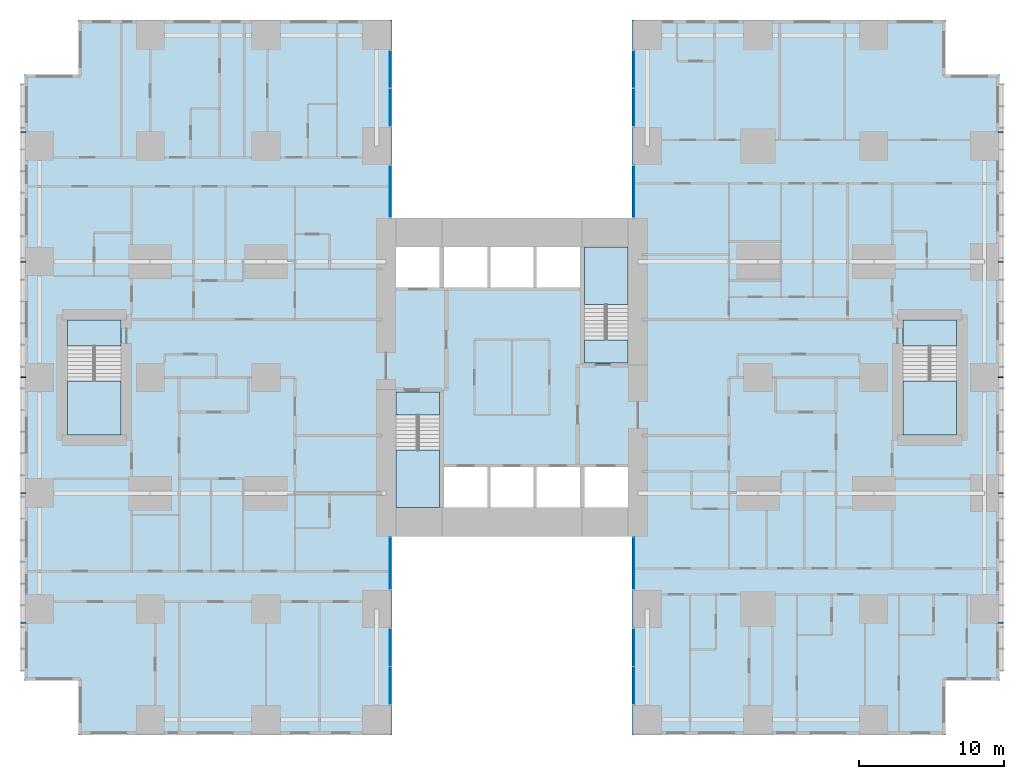
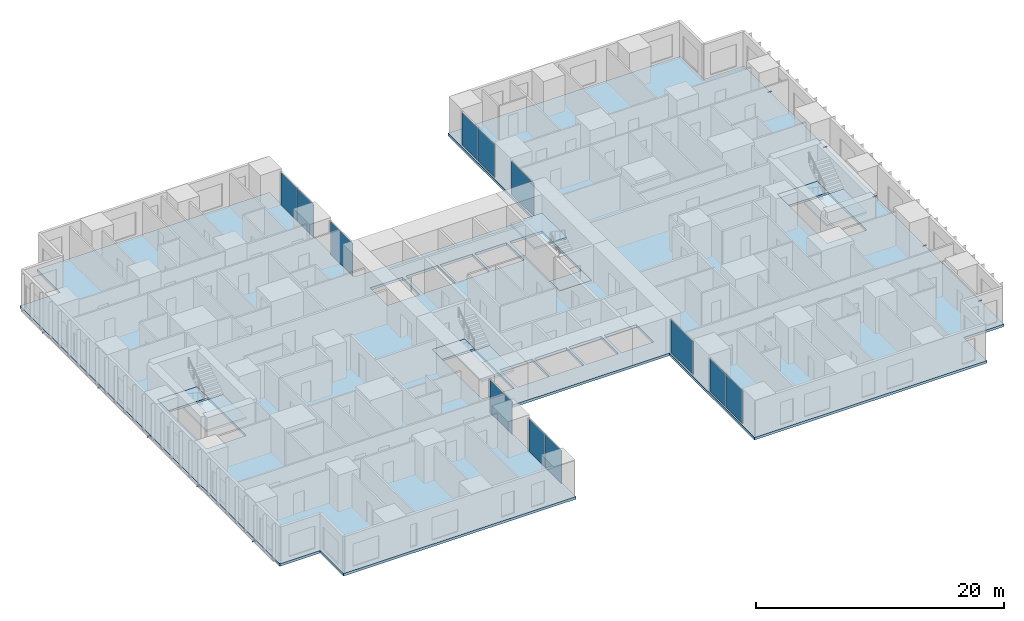
# One storey, part 7 of 21: 12 plates, 10 members, 9 slabs, 12 elements without a shape of their own.
"""IFC4 building model written with IfcOpenShell, lengths in metres."""

from ifc_helpers import new_model, si_unit, direction, frame, origin, origin_2d, place, context, subcontext, project, spatial, polyline, rectangle, hollow_rectangle, outline, extrude, material, layer, layer_set, material_profile, profile_set, type_object, element, aggregate, save


model = new_model("IFC4")

# Units and contexts
model_context = context("Model", 3, precision=1e-05, world=origin(), true_north=direction((0.0, 1.0)))
body_context = subcontext(model_context, "Body", "Model", "MODEL_VIEW")
ifc_project = project(units=[si_unit("LENGTHUNIT", "METRE"), si_unit("AREAUNIT", "SQUARE_METRE"), si_unit("VOLUMEUNIT", "CUBIC_METRE"), si_unit("PLANEANGLEUNIT", "RADIAN"), si_unit("MASSUNIT", "GRAM", prefix="KILO")], contexts=[model_context])

# Site, building, storey
site_placement = place(None, origin())
site = spatial("IfcSite", under=ifc_project, at=site_placement, CompositionType="ELEMENT")
building_placement = place(site_placement, origin())
building = spatial("IfcBuilding", under=site, at=building_placement, Name="Cleftline Residences", CompositionType="ELEMENT")
storey_placement = place(building_placement, frame((0.0, 0.0, 125.0)))
storey = spatial("IfcBuildingStorey", under=building, at=storey_placement, Name="L32", CompositionType="ELEMENT", Elevation=125.0)

# Members
ifc_material_1 = material(Name="Steel S355, hot-dip galvanised", Category="steel")
ifc_material_profile = material_profile(ifc_material_1, hollow_rectangle(XDim=0.10009765625, YDim=0.10009765625, WallThickness=0.008056640625, InnerFilletRadius=0.008056640625, OuterFilletRadius=0.011962890625, at=origin_2d()))
ifc_profile_set = profile_set([ifc_material_profile], Name="Steel S355, hot-dip galvanised")
member_type = type_object("IfcMemberType", Name="BAGUETTE BRACKET SHS 100X100X8", PredefinedType="USERDEFINED", material=ifc_profile_set)
for number, where, z_axis, x_axis, name in (
    (1, (66.60009765625, 7.050048828125, -0.14990234375), (1.0, 0.0, 0.0), (0.0, 1.0, 0.0), "Baguette bracket"),
    (2, (66.60009765625, 16.0, -0.14990234375), (1.0, 0.0, 0.0), (0.0, 1.0, 0.0), "Baguette bracket"),
    (3, (66.60009765625, 24.0, -0.14990234375), (1.0, 0.0, 0.0), (0.0, 1.0, 0.0), "Baguette bracket"),
    (4, (66.60009765625, 32.0, -0.14990234375), (1.0, 0.0, 0.0), (0.0, 1.0, 0.0), "Baguette bracket"),
    (5, (66.60009765625, 40.949951171875, -0.14990234375), (1.0, 0.0, 0.0), (0.0, 1.0, 0.0), "Baguette bracket"),
    (6, (-0.60009765625, 40.949951171875, -0.14990234375), (-1.0, 0.0, 0.0), (0.0, -1.0, 0.0), "Baguette bracket"),
    (7, (-0.60009765625, 32.0, -0.14990234375), (-1.0, 0.0, 0.0), (0.0, -1.0, 0.0), "Baguette bracket"),
    (8, (-0.60009765625, 24.0, -0.14990234375), (-1.0, 0.0, 0.0), (0.0, -1.0, 0.0), "Baguette bracket"),
    (9, (-0.60009765625, 16.0, -0.14990234375), (-1.0, 0.0, 0.0), (0.0, -1.0, 0.0), "Baguette bracket"),
    (10, (-0.60009765625, 7.050048828125, -0.14990234375), (-1.0, 0.0, 0.0), (0.0, -1.0, 0.0), "Baguette bracket"),
):
    element("IfcMember", number, at=place(storey_placement, frame(where, z_axis=z_axis, x_axis=x_axis)), inside=storey, type_object=member_type, Name=name, ObjectType="BAGUETTE BRACKET", PredefinedType="USERDEFINED", context=body_context, shape_type="SweptSolid", body=[
        extrude(hollow_rectangle(XDim=0.10009765625, YDim=0.10009765625, WallThickness=0.008056640625, InnerFilletRadius=0.008056640625, OuterFilletRadius=0.011962890625, at=origin_2d()), origin(), (0.0, 0.0, 1.0), 0.349853515625),
    ])

# Curtain wall, plates
ifc_material_2 = material(Name="Aluminium framed curtain wall", Category="aluminium")
ifc_layer_1 = layer(ifc_material_2, 0.199951171875)
ifc_layer_set_1 = layer_set([ifc_layer_1], Name="CW1 CLEFT GLAZING")
curtain_wall_type = type_object("IfcCurtainWallType", Name="CW1 CLEFT GLAZING", PredefinedType="NOTDEFINED", material=ifc_layer_set_1)
curtain_wall_1_placement = place(storey_placement, origin())
curtain_wall_1 = element("IfcCurtainWall", 11, at=curtain_wall_1_placement, inside=storey, type_object=curtain_wall_type, Name="Curtain wall CW1", PredefinedType="NOTDEFINED")
ifc_material_3 = material(Name="Laminated clear glass", Category="glass")
ifc_layer_2 = layer(ifc_material_3, 0.028076171875)
ifc_layer_set_2 = layer_set([ifc_layer_2], Name="CW1 GLASS PANEL")
plate_type = type_object("IfcPlateType", Name="CW1 GLASS PANEL", PredefinedType="CURTAIN_PANEL", material=ifc_layer_set_2)
plate_1_placement = place(storey_placement, frame((24.574951171875, 2.702392578125, 0.06005859375), z_axis=(0.0, 0.0, 1.0), x_axis=(0.0, 1.0, 0.0)))
plate_1 = element("IfcPlate", 12, at=plate_1_placement, type_object=plate_type, Name="CW1 panel 1.1", PredefinedType="CURTAIN_PANEL", context=body_context, shape_type="SweptSolid", body=[
    extrude(rectangle(XDim=2.5849609375, YDim=0.028076171875, at=origin_2d()), origin(), (0.0, 0.0, 1.0), 3.22998046875),
])
plate_2_placement = place(storey_placement, frame((24.574951171875, 5.347412109375, 0.06005859375), z_axis=(0.0, 0.0, 1.0), x_axis=(0.0, 1.0, 0.0)))
plate_2 = element("IfcPlate", 13, at=plate_2_placement, type_object=plate_type, Name="CW1 panel 2.1", PredefinedType="CURTAIN_PANEL", context=body_context, shape_type="SweptSolid", body=[
    extrude(rectangle(XDim=2.5849609375, YDim=0.028076171875, at=origin_2d()), origin(), (0.0, 0.0, 1.0), 3.22998046875),
])
aggregate(curtain_wall_1, [plate_1, plate_2])

# Curtain wall, plate
curtain_wall_2_placement = place(storey_placement, origin())
curtain_wall_2 = element("IfcCurtainWall", 14, at=curtain_wall_2_placement, inside=storey, type_object=curtain_wall_type, Name="Curtain wall CW1", PredefinedType="NOTDEFINED")
plate_3_placement = place(storey_placement, frame((24.574951171875, 11.14990234375, 0.06005859375), z_axis=(0.0, 0.0, 1.0), x_axis=(0.0, 1.0, 0.0)))
plate_3 = element("IfcPlate", 15, at=plate_3_placement, type_object=plate_type, Name="CW1 panel 1.1", PredefinedType="CURTAIN_PANEL", context=body_context, shape_type="SweptSolid", body=[
    extrude(rectangle(XDim=3.580078125, YDim=0.028076171875, at=origin_2d()), origin(), (0.0, 0.0, 1.0), 3.22998046875),
])
aggregate(curtain_wall_2, [plate_3])

curtain_wall_3_placement = place(storey_placement, origin())
curtain_wall_3 = element("IfcCurtainWall", 16, at=curtain_wall_3_placement, inside=storey, type_object=curtain_wall_type, Name="Curtain wall CW1", PredefinedType="NOTDEFINED")
plate_4_placement = place(storey_placement, frame((41.425048828125, 11.14990234375, 0.06005859375), z_axis=(0.0, 0.0, 1.0), x_axis=(0.0, -1.0, 0.0)))
plate_4 = element("IfcPlate", 17, at=plate_4_placement, type_object=plate_type, Name="CW1 panel 1.1", PredefinedType="CURTAIN_PANEL", context=body_context, shape_type="SweptSolid", body=[
    extrude(rectangle(XDim=3.580078125, YDim=0.028076171875, at=origin_2d()), origin(), (0.0, 0.0, 1.0), 3.22998046875),
])
aggregate(curtain_wall_3, [plate_4])

# Curtain wall, plates
curtain_wall_4_placement = place(storey_placement, origin())
curtain_wall_4 = element("IfcCurtainWall", 18, at=curtain_wall_4_placement, inside=storey, type_object=curtain_wall_type, Name="Curtain wall CW1", PredefinedType="NOTDEFINED")
plate_5_placement = place(storey_placement, frame((41.425048828125, 5.347412109375, 0.06005859375), z_axis=(0.0, 0.0, 1.0), x_axis=(0.0, -1.0, 0.0)))
plate_5 = element("IfcPlate", 19, at=plate_5_placement, type_object=plate_type, Name="CW1 panel 1.1", PredefinedType="CURTAIN_PANEL", context=body_context, shape_type="SweptSolid", body=[
    extrude(rectangle(XDim=2.5849609375, YDim=0.028076171875, at=origin_2d()), origin(), (0.0, 0.0, 1.0), 3.22998046875),
])
plate_6_placement = place(storey_placement, frame((41.425048828125, 2.702392578125, 0.06005859375), z_axis=(0.0, 0.0, 1.0), x_axis=(0.0, -1.0, 0.0)))
plate_6 = element("IfcPlate", 20, at=plate_6_placement, type_object=plate_type, Name="CW1 panel 2.1", PredefinedType="CURTAIN_PANEL", context=body_context, shape_type="SweptSolid", body=[
    extrude(rectangle(XDim=2.5849609375, YDim=0.028076171875, at=origin_2d()), origin(), (0.0, 0.0, 1.0), 3.22998046875),
])
aggregate(curtain_wall_4, [plate_5, plate_6])

curtain_wall_5_placement = place(storey_placement, origin())
curtain_wall_5 = element("IfcCurtainWall", 21, at=curtain_wall_5_placement, inside=storey, type_object=curtain_wall_type, Name="Curtain wall CW1", PredefinedType="NOTDEFINED")
plate_7_placement = place(storey_placement, frame((41.425048828125, 45.297607421875, 0.06005859375), z_axis=(0.0, 0.0, 1.0), x_axis=(0.0, -1.0, 0.0)))
plate_7 = element("IfcPlate", 22, at=plate_7_placement, type_object=plate_type, Name="CW1 panel 1.1", PredefinedType="CURTAIN_PANEL", context=body_context, shape_type="SweptSolid", body=[
    extrude(rectangle(XDim=2.5849609375, YDim=0.028076171875, at=origin_2d()), origin(), (0.0, 0.0, 1.0), 3.22998046875),
])
plate_8_placement = place(storey_placement, frame((41.425048828125, 42.652587890625, 0.06005859375), z_axis=(0.0, 0.0, 1.0), x_axis=(0.0, -1.0, 0.0)))
plate_8 = element("IfcPlate", 23, at=plate_8_placement, type_object=plate_type, Name="CW1 panel 2.1", PredefinedType="CURTAIN_PANEL", context=body_context, shape_type="SweptSolid", body=[
    extrude(rectangle(XDim=2.5849609375, YDim=0.028076171875, at=origin_2d()), origin(), (0.0, 0.0, 1.0), 3.22998046875),
])
aggregate(curtain_wall_5, [plate_7, plate_8])

# Curtain wall, plate
curtain_wall_6_placement = place(storey_placement, origin())
curtain_wall_6 = element("IfcCurtainWall", 24, at=curtain_wall_6_placement, inside=storey, type_object=curtain_wall_type, Name="Curtain wall CW1", PredefinedType="NOTDEFINED")
plate_9_placement = place(storey_placement, frame((41.425048828125, 36.85009765625, 0.06005859375), z_axis=(0.0, 0.0, 1.0), x_axis=(0.0, -1.0, 0.0)))
plate_9 = element("IfcPlate", 25, at=plate_9_placement, type_object=plate_type, Name="CW1 panel 1.1", PredefinedType="CURTAIN_PANEL", context=body_context, shape_type="SweptSolid", body=[
    extrude(rectangle(XDim=3.580078125, YDim=0.028076171875, at=origin_2d()), origin(), (0.0, 0.0, 1.0), 3.22998046875),
])
aggregate(curtain_wall_6, [plate_9])

curtain_wall_7_placement = place(storey_placement, origin())
curtain_wall_7 = element("IfcCurtainWall", 26, at=curtain_wall_7_placement, inside=storey, type_object=curtain_wall_type, Name="Curtain wall CW1", PredefinedType="NOTDEFINED")
plate_10_placement = place(storey_placement, frame((24.574951171875, 36.85009765625, 0.06005859375), z_axis=(0.0, 0.0, 1.0), x_axis=(0.0, 1.0, 0.0)))
plate_10 = element("IfcPlate", 27, at=plate_10_placement, type_object=plate_type, Name="CW1 panel 1.1", PredefinedType="CURTAIN_PANEL", context=body_context, shape_type="SweptSolid", body=[
    extrude(rectangle(XDim=3.580078125, YDim=0.028076171875, at=origin_2d()), origin(), (0.0, 0.0, 1.0), 3.22998046875),
])
aggregate(curtain_wall_7, [plate_10])

# Curtain wall, plates
curtain_wall_8_placement = place(storey_placement, origin())
curtain_wall_8 = element("IfcCurtainWall", 28, at=curtain_wall_8_placement, inside=storey, type_object=curtain_wall_type, Name="Curtain wall CW1", PredefinedType="NOTDEFINED")
plate_11_placement = place(storey_placement, frame((24.574951171875, 42.652587890625, 0.06005859375), z_axis=(0.0, 0.0, 1.0), x_axis=(0.0, 1.0, 0.0)))
plate_11 = element("IfcPlate", 29, at=plate_11_placement, type_object=plate_type, Name="CW1 panel 1.1", PredefinedType="CURTAIN_PANEL", context=body_context, shape_type="SweptSolid", body=[
    extrude(rectangle(XDim=2.5849609375, YDim=0.028076171875, at=origin_2d()), origin(), (0.0, 0.0, 1.0), 3.22998046875),
])
plate_12_placement = place(storey_placement, frame((24.574951171875, 45.297607421875, 0.06005859375), z_axis=(0.0, 0.0, 1.0), x_axis=(0.0, 1.0, 0.0)))
plate_12 = element("IfcPlate", 30, at=plate_12_placement, type_object=plate_type, Name="CW1 panel 2.1", PredefinedType="CURTAIN_PANEL", context=body_context, shape_type="SweptSolid", body=[
    extrude(rectangle(XDim=2.5849609375, YDim=0.028076171875, at=origin_2d()), origin(), (0.0, 0.0, 1.0), 3.22998046875),
])
aggregate(curtain_wall_8, [plate_11, plate_12])

# Slab
ifc_material_4 = material(Name="Concrete B45", Category="concrete")
ifc_layer_3 = layer(ifc_material_4, 0.25)
ifc_layer_set_3 = layer_set([ifc_layer_3], Name="FLOOR SLAB 250")
slab_type_1 = type_object("IfcSlabType", Name="FLOOR SLAB 250", PredefinedType="FLOOR", material=ifc_layer_set_3)
slab_1_placement = place(storey_placement, frame((0.0, 0.0, -0.25)))
element("IfcSlab", 31, at=slab_1_placement, inside=storey, type_object=slab_type_1, Name="Floor slab L32", PredefinedType="FLOOR", context=body_context, shape_type="SweptSolid", body=[
    extrude(outline(polyline([(24.699951171875, 13.0), (41.300048828125, 13.0), (41.300048828125, -0.699951171875), (62.949951171875, -0.699951171875), (62.949951171875, 3.050048828125), (66.699951171875, 3.050048828125), (66.699951171875, 44.949951171875), (62.949951171875, 44.949951171875), (62.949951171875, 48.699951171875), (41.300048828125, 48.699951171875), (41.300048828125, 35.0), (24.699951171875, 35.0), (24.699951171875, 48.699951171875), (3.050048828125, 48.699951171875), (3.050048828125, 44.949951171875), (-0.699951171875, 44.949951171875), (-0.699951171875, 3.050048828125), (3.050048828125, 3.050048828125), (3.050048828125, -0.699951171875), (24.699951171875, -0.699951171875), (24.699951171875, 13.0)]), holes=[polyline([(28.0, 15.0), (28.0, 23.0), (25.0, 23.0), (25.0, 15.0), (28.0, 15.0)]), polyline([(41.0, 25.0), (41.0, 33.0), (38.0, 33.0), (38.0, 25.0), (41.0, 25.0)]), polyline([(28.0, 30.199951171875), (28.0, 33.0), (25.0, 33.0), (25.0, 30.199951171875), (28.0, 30.199951171875)]), polyline([(41.0, 15.0), (41.0, 17.800048828125), (38.0, 17.800048828125), (38.0, 15.0), (41.0, 15.0)]), polyline([(31.300048828125, 15.0), (31.300048828125, 17.800048828125), (28.300048828125, 17.800048828125), (28.300048828125, 15.0), (31.300048828125, 15.0)]), polyline([(34.5, 15.0), (34.5, 17.800048828125), (31.5, 17.800048828125), (31.5, 15.0), (34.5, 15.0)]), polyline([(37.699951171875, 15.0), (37.699951171875, 17.800048828125), (34.699951171875, 17.800048828125), (34.699951171875, 15.0), (37.699951171875, 15.0)]), polyline([(31.300048828125, 30.199951171875), (31.300048828125, 33.0), (28.300048828125, 33.0), (28.300048828125, 30.199951171875), (31.300048828125, 30.199951171875)]), polyline([(34.5, 30.199951171875), (34.5, 33.0), (31.5, 33.0), (31.5, 30.199951171875), (34.5, 30.199951171875)]), polyline([(37.699951171875, 30.199951171875), (37.699951171875, 33.0), (34.699951171875, 33.0), (34.699951171875, 30.199951171875), (37.699951171875, 30.199951171875)]), polyline([(63.72509765625, 20.02490234375), (63.72509765625, 27.97509765625), (60.02490234375, 27.97509765625), (60.02490234375, 20.02490234375), (63.72509765625, 20.02490234375)]), polyline([(5.97509765625, 20.02490234375), (5.97509765625, 27.97509765625), (2.27490234375, 27.97509765625), (2.27490234375, 20.02490234375), (5.97509765625, 20.02490234375)])]), origin(), (0.0, 0.0, 1.0), 0.25),
])

# Stair, slabs
ifc_material_5 = material(Name="Concrete B45, stone treads", Category="masonry")
stair_type_1 = type_object("IfcStairType", Name="STAIR A 1450 WIDE 180 RISER", PredefinedType="HALF_TURN_STAIR", material=ifc_material_5)
stair_1_placement = place(storey_placement, origin())
stair_1 = element("IfcStair", 32, at=stair_1_placement, inside=storey, type_object=stair_type_1, Name="Stair A L32", PredefinedType="HALF_TURN_STAIR")
ifc_material_6 = material(Name="Concrete B45", Category="concrete")
ifc_layer_4 = layer(ifc_material_6, 0.199951171875)
ifc_layer_set_4 = layer_set([ifc_layer_4], Name="STAIR LANDING 200")
slab_type_2 = type_object("IfcSlabType", Name="STAIR LANDING 200", PredefinedType="LANDING", material=ifc_layer_set_4)
slab_2_placement = place(storey_placement, frame((0.0, 0.0, -0.199951171875)))
slab_2 = element("IfcSlab", 33, at=slab_2_placement, type_object=slab_type_2, Name="ST-A landing 1", PredefinedType="LANDING", context=body_context, shape_type="SweptSolid", body=[
    extrude(outline(polyline([(25.0, 21.39990234375), (28.0, 21.39990234375), (28.0, 23.0), (25.0, 23.0), (25.0, 21.39990234375)])), origin(), (0.0, 0.0, 1.0), 0.199951171875),
])
slab_3_placement = place(storey_placement, frame((0.0, 0.0, 1.60009765625)))
slab_3 = element("IfcSlab", 34, at=slab_3_placement, type_object=slab_type_2, Name="ST-A landing 2", PredefinedType="LANDING", context=body_context, shape_type="SweptSolid", body=[
    extrude(outline(polyline([(25.0, 15.0), (28.0, 15.0), (28.0, 18.969970703125), (25.0, 18.969970703125), (25.0, 15.0)])), origin(), (0.0, 0.0, 1.0), 0.199951171875),
])
aggregate(stair_1, [slab_2, slab_3])

ifc_material_7 = material(Name="Concrete B45, stone treads", Category="masonry")
stair_type_2 = type_object("IfcStairType", Name="STAIR B 1450 WIDE 180 RISER", PredefinedType="HALF_TURN_STAIR", material=ifc_material_7)
stair_2_placement = place(storey_placement, origin())
stair_2 = element("IfcStair", 35, at=stair_2_placement, inside=storey, type_object=stair_type_2, Name="Stair B L32", PredefinedType="HALF_TURN_STAIR")
slab_4_placement = place(storey_placement, frame((0.0, 0.0, -0.199951171875)))
slab_4 = element("IfcSlab", 36, at=slab_4_placement, type_object=slab_type_2, Name="ST-B landing 1", PredefinedType="LANDING", context=body_context, shape_type="SweptSolid", body=[
    extrude(outline(polyline([(38.0, 25.0), (41.0, 25.0), (41.0, 26.60009765625), (38.0, 26.60009765625), (38.0, 25.0)])), origin(), (0.0, 0.0, 1.0), 0.199951171875),
])
slab_5_placement = place(storey_placement, frame((0.0, 0.0, 1.60009765625)))
slab_5 = element("IfcSlab", 37, at=slab_5_placement, type_object=slab_type_2, Name="ST-B landing 2", PredefinedType="LANDING", context=body_context, shape_type="SweptSolid", body=[
    extrude(outline(polyline([(38.0, 29.030029296875), (41.0, 29.030029296875), (41.0, 33.0), (38.0, 33.0), (38.0, 29.030029296875)])), origin(), (0.0, 0.0, 1.0), 0.199951171875),
])
aggregate(stair_2, [slab_4, slab_5])

ifc_material_8 = material(Name="Concrete B45, stone treads", Category="masonry")
stair_type_3 = type_object("IfcStairType", Name="STAIR E 1800 WIDE 180 RISER", PredefinedType="HALF_TURN_STAIR", material=ifc_material_8)
stair_3_placement = place(storey_placement, origin())
stair_3 = element("IfcStair", 38, at=stair_3_placement, inside=storey, type_object=stair_type_3, Name="Stair E L32", PredefinedType="HALF_TURN_STAIR")
slab_6_placement = place(storey_placement, frame((0.0, 0.0, -0.199951171875)))
slab_6 = element("IfcSlab", 39, at=slab_6_placement, type_object=slab_type_2, Name="ST-E landing 1", PredefinedType="LANDING", context=body_context, shape_type="SweptSolid", body=[
    extrude(outline(polyline([(60.02490234375, 26.175048828125), (63.72509765625, 26.175048828125), (63.72509765625, 27.97509765625), (60.02490234375, 27.97509765625), (60.02490234375, 26.175048828125)])), origin(), (0.0, 0.0, 1.0), 0.199951171875),
])
slab_7_placement = place(storey_placement, frame((0.0, 0.0, 1.60009765625)))
slab_7 = element("IfcSlab", 40, at=slab_7_placement, type_object=slab_type_2, Name="ST-E landing 2", PredefinedType="LANDING", context=body_context, shape_type="SweptSolid", body=[
    extrude(outline(polyline([(60.02490234375, 20.02490234375), (63.72509765625, 20.02490234375), (63.72509765625, 23.7451171875), (60.02490234375, 23.7451171875), (60.02490234375, 20.02490234375)])), origin(), (0.0, 0.0, 1.0), 0.199951171875),
])
aggregate(stair_3, [slab_6, slab_7])

ifc_material_9 = material(Name="Concrete B45, stone treads", Category="masonry")
stair_type_4 = type_object("IfcStairType", Name="STAIR W 1800 WIDE 180 RISER", PredefinedType="HALF_TURN_STAIR", material=ifc_material_9)
stair_4_placement = place(storey_placement, origin())
stair_4 = element("IfcStair", 41, at=stair_4_placement, inside=storey, type_object=stair_type_4, Name="Stair W L32", PredefinedType="HALF_TURN_STAIR")
slab_8_placement = place(storey_placement, frame((0.0, 0.0, -0.199951171875)))
slab_8 = element("IfcSlab", 42, at=slab_8_placement, type_object=slab_type_2, Name="ST-W landing 1", PredefinedType="LANDING", context=body_context, shape_type="SweptSolid", body=[
    extrude(outline(polyline([(2.27490234375, 26.175048828125), (5.97509765625, 26.175048828125), (5.97509765625, 27.97509765625), (2.27490234375, 27.97509765625), (2.27490234375, 26.175048828125)])), origin(), (0.0, 0.0, 1.0), 0.199951171875),
])
slab_9_placement = place(storey_placement, frame((0.0, 0.0, 1.60009765625)))
slab_9 = element("IfcSlab", 43, at=slab_9_placement, type_object=slab_type_2, Name="ST-W landing 2", PredefinedType="LANDING", context=body_context, shape_type="SweptSolid", body=[
    extrude(outline(polyline([(2.27490234375, 20.02490234375), (5.97509765625, 20.02490234375), (5.97509765625, 23.7451171875), (2.27490234375, 23.7451171875), (2.27490234375, 20.02490234375)])), origin(), (0.0, 0.0, 1.0), 0.199951171875),
])
aggregate(stair_4, [slab_8, slab_9])

save(model, "model.ifc")
